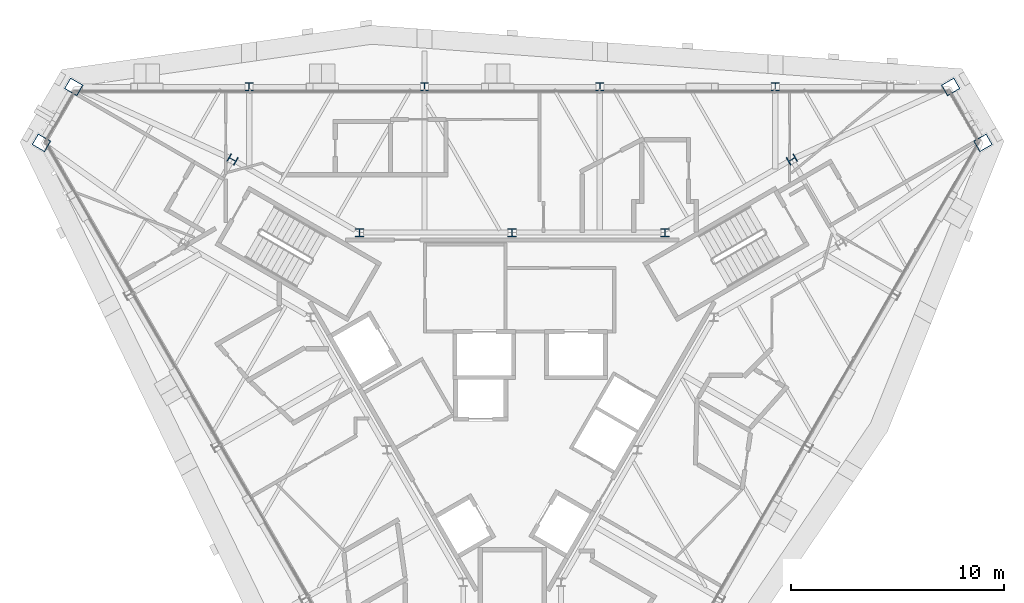
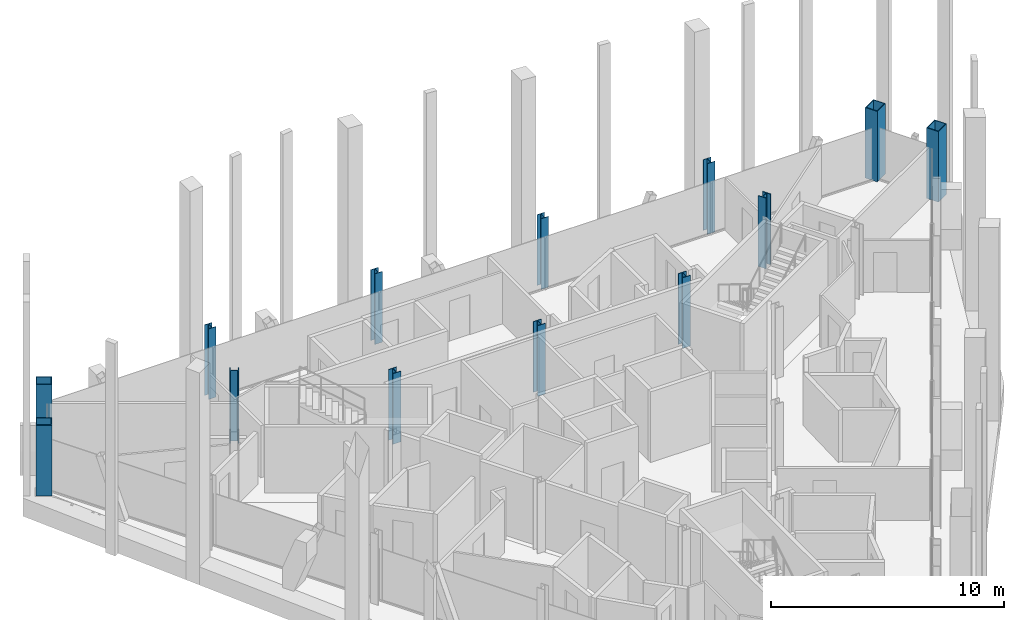
# One storey, part 2 of 15: 13 columns.
"""IFC4 building model written with IfcOpenShell, lengths in metres."""

from ifc_helpers import new_model, si_unit, direction, frame, origin, origin_2d, place, context, subcontext, project, spatial, hollow_rectangle, i_section, extrude, material, material_profile, profile_set, type_object, element, save


model = new_model("IFC4")

# Units and contexts
model_context = context("Model", 3, precision=1e-05, world=origin(), true_north=direction((0.0, 1.0)))
body_context = subcontext(model_context, "Body", "Model", "MODEL_VIEW")
ifc_project = project(units=[si_unit("LENGTHUNIT", "METRE"), si_unit("AREAUNIT", "SQUARE_METRE"), si_unit("VOLUMEUNIT", "CUBIC_METRE"), si_unit("PLANEANGLEUNIT", "RADIAN"), si_unit("MASSUNIT", "GRAM", prefix="KILO")], contexts=[model_context])

# Site, building, storey
site_placement = place(None, origin())
site = spatial("IfcSite", under=ifc_project, at=site_placement, CompositionType="ELEMENT")
building_placement = place(site_placement, origin())
building = spatial("IfcBuilding", under=site, at=building_placement, Name="Verrane Prism Tower", CompositionType="ELEMENT")
storey_placement = place(building_placement, frame((0.0, 0.0, 297.300048828125)))
storey = spatial("IfcBuildingStorey", under=building, at=storey_placement, Name="L75", CompositionType="ELEMENT", Elevation=297.300048828125)

# Columns
ifc_material_1 = material(Name="Steel A992", Category="steel")
ifc_material_profile_1 = material_profile(ifc_material_1, i_section(OverallWidth=0.4013671875, OverallDepth=0.398681640625, WebThickness=0.02490234375, FlangeThickness=0.03955078125, FilletRadius=0.01513671875, at=origin_2d()), Name="W14x211")
ifc_profile_set_1 = profile_set([ifc_material_profile_1], Name="Steel A992")
column_type_1 = type_object("IfcColumnType", Name="Core corner column W14x211", PredefinedType="COLUMN", material=ifc_profile_set_1)
for number, where, z_axis, x_axis, name in (
    (1, (13.139892578125, 10.239990234375, 0.0), (0.0, 0.0, 1.0), (0.5, -0.866025403784, 0.0), "Core corner column CK-NEp L75"),
    (2, (-13.139892578125, 10.239990234375, 0.0), (0.0, 0.0, 1.0), (0.5, 0.866025403784, 0.0), "Core corner column CK-NWm L75"),
):
    element("IfcColumn", number, at=place(storey_placement, frame(where, z_axis=z_axis, x_axis=x_axis)), inside=storey, type_object=column_type_1, Name=name, PredefinedType="COLUMN", context=body_context, shape_type="SweptSolid", body=[
        extrude(i_section(OverallWidth=0.4013671875, OverallDepth=0.398681640625, WebThickness=0.02490234375, FlangeThickness=0.03955078125, FilletRadius=0.01513671875, at=origin_2d()), origin(), (0.0, 0.0, 1.0), 3.699951171875),
    ])
ifc_material_2 = material(Name="Steel A992", Category="steel")
ifc_material_profile_2 = material_profile(ifc_material_2, i_section(OverallWidth=0.398681640625, OverallDepth=0.385986328125, WebThickness=0.02099609375, FlangeThickness=0.033203125, FilletRadius=0.01513671875, at=origin_2d()), Name="W14x176")
ifc_profile_set_2 = profile_set([ifc_material_profile_2], Name="Steel A992")
column_type_2 = type_object("IfcColumnType", Name="Core side column W14x176", PredefinedType="COLUMN", material=ifc_profile_set_2)
for number, where, z_axis, x_axis, name in (
    (3, (7.179931640625, 6.800048828125, 0.0), (0.0, 0.0, 1.0), (1.0, 0.0, 0.0), "Core side column CC-NEp L75"),
    (4, (0.0, 6.800048828125, 0.0), (0.0, 0.0, 1.0), (1.0, 0.0, 0.0), "Core side column CC-N0 L75"),
    (5, (-7.179931640625, 6.800048828125, 0.0), (0.0, 0.0, 1.0), (1.0, 0.0, 0.0), "Core side column CC-NWm L75"),
):
    element("IfcColumn", number, at=place(storey_placement, frame(where, z_axis=z_axis, x_axis=x_axis)), inside=storey, type_object=column_type_2, Name=name, PredefinedType="COLUMN", context=body_context, shape_type="SweptSolid", body=[
        extrude(i_section(OverallWidth=0.398681640625, OverallDepth=0.385986328125, WebThickness=0.02099609375, FlangeThickness=0.033203125, FilletRadius=0.01513671875, at=origin_2d()), origin(), (0.0, 0.0, 1.0), 3.699951171875),
    ])
ifc_material_3 = material(Name="Steel A572 Grade 50", Category="steel")
ifc_material_profile_3 = material_profile(ifc_material_3, hollow_rectangle(XDim=0.60009765625, YDim=0.699951171875, WallThickness=0.0400390625, at=origin_2d()), Name="BOX 700x600x40")
ifc_profile_set_3 = profile_set([ifc_material_profile_3], Name="Steel A572 Grade 50")
column_type_3 = type_object("IfcColumnType", Name="Megacolumn BOX 700x600x40", PredefinedType="COLUMN", material=ifc_profile_set_3)
for number, where, z_axis, x_axis, name in (
    (6, (20.60009765625, 13.64990234375, 0.0), (0.0, 0.0, 1.0), (0.5, -0.866025403784, 0.0), "Megacolumn MC-NE.b L75"),
    (7, (-20.60009765625, 13.64990234375, 0.0), (0.0, 0.0, 1.0), (0.5, 0.866025403784, 0.0), "Megacolumn MC-NW.a L75"),
    (8, (-22.1201171875, 11.02001953125, 0.0), (0.0, 0.0, 1.0), (0.5, 0.866025403784, 0.0), "Megacolumn MC-NW.b L75"),
    (9, (22.1201171875, 11.02001953125, 0.0), (0.0, 0.0, 1.0), (0.5, -0.866025403784, 0.0), "Megacolumn MC-NE.a L75"),
):
    element("IfcColumn", number, at=place(storey_placement, frame(where, z_axis=z_axis, x_axis=x_axis)), inside=storey, type_object=column_type_3, Name=name, PredefinedType="COLUMN", context=body_context, shape_type="SweptSolid", body=[
        extrude(hollow_rectangle(XDim=0.60009765625, YDim=0.699951171875, WallThickness=0.0400390625, at=origin_2d()), origin(), (0.0, 0.0, 1.0), 3.699951171875),
    ])
ifc_material_4 = material(Name="Steel A992", Category="steel")
ifc_material_profile_4 = material_profile(ifc_material_4, i_section(OverallWidth=0.373291015625, OverallDepth=0.368408203125, WebThickness=0.014892578125, FlangeThickness=0.02392578125, FilletRadius=0.01513671875, at=origin_2d()), Name="W14x120")
ifc_profile_set_4 = profile_set([ifc_material_profile_4], Name="Steel A992")
column_type_4 = type_object("IfcColumnType", Name="Perimeter column W14x120", PredefinedType="COLUMN", material=ifc_profile_set_4)
for number, where, z_axis, x_axis, name in (
    (10, (12.360107421875, 13.64990234375, 0.0), (0.0, 0.0, 1.0), (1.0, 0.0, 0.0), "Perimeter column PC-N1 L75"),
    (11, (4.1201171875, 13.64990234375, 0.0), (0.0, 0.0, 1.0), (1.0, 0.0, 0.0), "Perimeter column PC-N2 L75"),
    (12, (-4.1201171875, 13.64990234375, 0.0), (0.0, 0.0, 1.0), (1.0, 0.0, 0.0), "Perimeter column PC-N3 L75"),
    (13, (-12.360107421875, 13.64990234375, 0.0), (0.0, 0.0, 1.0), (1.0, 0.0, 0.0), "Perimeter column PC-N4 L75"),
):
    element("IfcColumn", number, at=place(storey_placement, frame(where, z_axis=z_axis, x_axis=x_axis)), inside=storey, type_object=column_type_4, Name=name, PredefinedType="COLUMN", context=body_context, shape_type="SweptSolid", body=[
        extrude(i_section(OverallWidth=0.373291015625, OverallDepth=0.368408203125, WebThickness=0.014892578125, FlangeThickness=0.02392578125, FilletRadius=0.01513671875, at=origin_2d()), origin(), (0.0, 0.0, 1.0), 3.699951171875),
    ])

save(model, "model.ifc")
